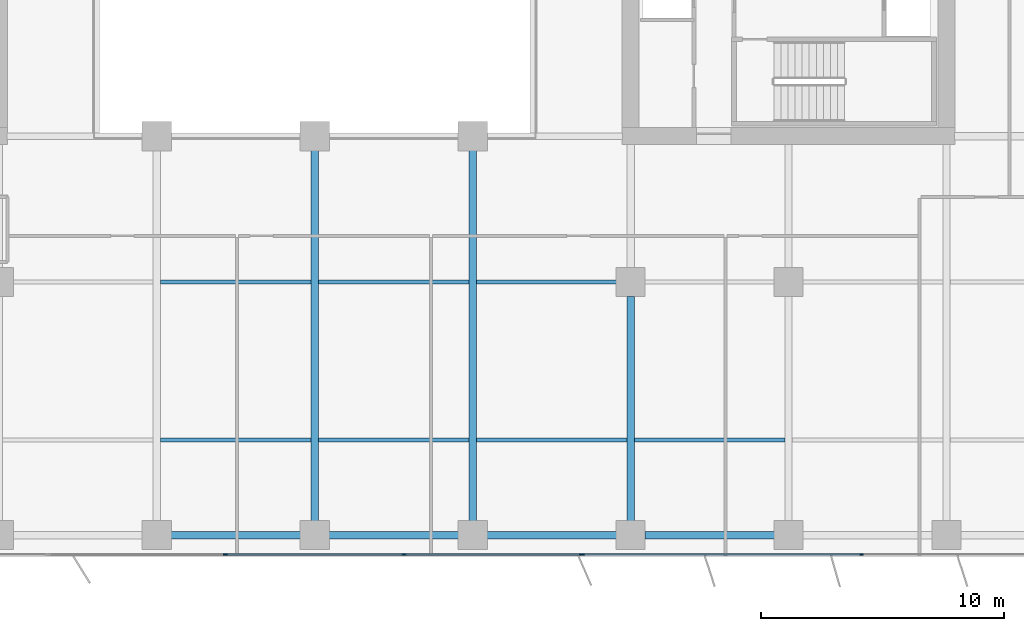
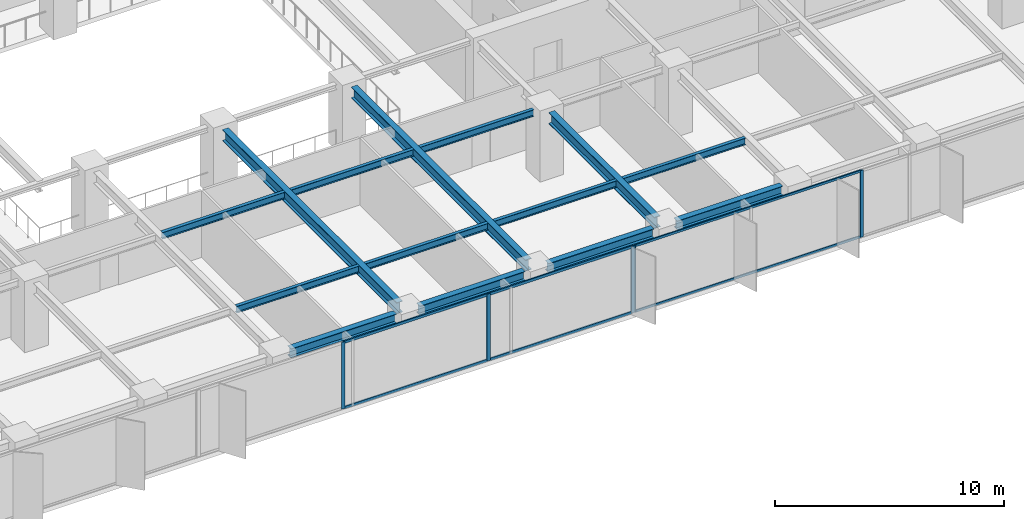
# One storey, part 5 of 20: 14 beams, 11 members, 2 elements without a shape of their own.
"""IFC4 building model written with IfcOpenShell, lengths in metres."""

import ifcopenshell
import ifcopenshell.guid

model = None  # the IFC model being written
_history = None  # IfcOwnerHistory: only IFC2X3 demands one
_inside = {}  # id of a spatial element -> (the spatial element, [elements in it])
_under = {}  # id of a project, library or spatial element -> (it, [spatial elements below it])
_declared = {}  # id of a project -> (the project, [libraries it declares])
_typed = {}  # id of a type object -> (the type object, [elements of that type])
_made_of = {}  # id of a material, layer set ... -> (it, [elements and type objects made of it])


def new_model(schema):
    """Start an empty IFC model of exactly this schema.

    Asked for "IFC4X3", IfcOpenShell would pick the latest addendum, in which some entities
    have other attributes; the version numbers below select the first issue.
    IFC2X3 requires an IfcOwnerHistory on every rooted entity: one is made here for all.
    """
    global model, _history
    if schema == "IFC4X3":
        model = ifcopenshell.file(schema_version=(4, 3, 0, 0))
    else:
        model = ifcopenshell.file(schema=schema)
    _inside.clear()
    _under.clear()
    _declared.clear()
    _typed.clear()
    _made_of.clear()
    _history = None
    if model.schema == "IFC2X3":
        org = make("IfcOrganization", Name="unknown")
        user = make(
            "IfcPersonAndOrganization",
            ThePerson=make("IfcPerson", FamilyName="unknown"),
            TheOrganization=org,
        )
        app = make(
            "IfcApplication",
            ApplicationDeveloper=org,
            Version="unknown",
            ApplicationFullName="unknown",
            ApplicationIdentifier="unknown",
        )
        _history = make(
            "IfcOwnerHistory",
            OwningUser=user,
            OwningApplication=app,
            ChangeAction="ADDED",
            CreationDate=0,
        )
    return model


def make(cls, **values):
    """One entity of the class cls with the attributes given. An attribute that is None is left unset."""
    return model.create_entity(
        cls, **{name: value for name, value in values.items() if value is not None}
    )


def rooted(cls, **values):
    """An entity with a GlobalId (a new one), such as an element, a storey or a relation."""
    return make(cls, GlobalId=ifcopenshell.guid.new(), OwnerHistory=_history, **values)


def si_unit(unit_type, name, prefix=None):
    """IfcSIUnit, for example si_unit("LENGTHUNIT", "METRE", prefix="MILLI")."""
    return make("IfcSIUnit", UnitType=unit_type, Prefix=prefix, Name=name)


def assignment(units):
    """IfcUnitAssignment: the units of a project."""
    return None if units is None else make("IfcUnitAssignment", Units=units)


def point(xyz):
    """IfcCartesianPoint."""
    return None if xyz is None else make("IfcCartesianPoint", Coordinates=xyz)


def direction(xyz):
    """IfcDirection."""
    return None if xyz is None else make("IfcDirection", DirectionRatios=xyz)


def frame(location, z_axis=None, x_axis=None):
    """IfcAxis2Placement3D, a coordinate frame: its origin and axes. An axis left out is left unset."""
    return make(
        "IfcAxis2Placement3D",
        Location=point(location),
        Axis=direction(z_axis),
        RefDirection=direction(x_axis),
    )


def frame_2d(location, x_axis=None):
    """IfcAxis2Placement2D, a coordinate frame in the plane: its origin and x axis."""
    return make(
        "IfcAxis2Placement2D", Location=point(location), RefDirection=direction(x_axis)
    )


def origin():
    """The frame at (0, 0, 0) with its axes left unset."""
    return frame((0.0, 0.0, 0.0))


def origin_2d():
    """The frame at (0, 0) in the plane with its x axis left unset."""
    return frame_2d((0.0, 0.0))


def place(relative_to, where):
    """IfcLocalPlacement: puts the frame where relative to a parent placement (None: the world)."""
    return make(
        "IfcLocalPlacement", PlacementRelTo=relative_to, RelativePlacement=where
    )


def context(
    kind, dimensions, precision=None, world=None, true_north=None, identifier=None
):
    """IfcGeometricRepresentationContext, for example the 3D "Model" context."""
    return make(
        "IfcGeometricRepresentationContext",
        ContextIdentifier=identifier,
        ContextType=kind,
        CoordinateSpaceDimension=dimensions,
        Precision=precision,
        WorldCoordinateSystem=world,
        TrueNorth=true_north,
    )


def subcontext(parent, identifier, kind, view, scale=None):
    """IfcGeometricRepresentationSubContext, for example "Body" below "Model"."""
    return make(
        "IfcGeometricRepresentationSubContext",
        ContextIdentifier=identifier,
        ContextType=kind,
        ParentContext=parent,
        TargetScale=scale,
        TargetView=view,
    )


def project(units=None, contexts=None):
    """IfcProject with its units and contexts."""
    return rooted(
        "IfcProject",
        Name="project",
        RepresentationContexts=contexts,
        UnitsInContext=assignment(units),
    )


def spatial(cls, under=None, at=None, **own):
    """A site, building, storey or space (cls), placed at a placement, below another one or the project."""
    s = rooted(cls, ObjectPlacement=at, **own)
    if under is not None:
        _under.setdefault(under.id(), (under, []))[1].append(s)
    return s


def profile(cls, at=None, kind="AREA", **sizes):
    """A parametric profile (cls). Its sizes go by their IFC names, for example OverallWidth=200.0."""
    return make(cls, ProfileType=kind, Position=at, **sizes)


def rectangle(**sizes):
    """IfcRectangleProfileDef."""
    return profile("IfcRectangleProfileDef", **sizes)


def i_section(**sizes):
    """IfcIShapeProfileDef."""
    return profile("IfcIShapeProfileDef", **sizes)


def extrude(swept, where, along, depth):
    """IfcExtrudedAreaSolid: the profile swept, set in the frame where, extruded along a direction by depth."""
    return make(
        "IfcExtrudedAreaSolid",
        SweptArea=swept,
        Position=where,
        ExtrudedDirection=direction(along),
        Depth=depth,
    )


def shape(context_of_items, identifier, shape_type, items):
    """IfcShapeRepresentation: the items that make up one representation, for example the "Body"."""
    return make(
        "IfcShapeRepresentation",
        ContextOfItems=context_of_items,
        RepresentationIdentifier=identifier,
        RepresentationType=shape_type,
        Items=items,
    )


def material(Name=None, Category=None):
    """IfcMaterial."""
    return make("IfcMaterial", Name=Name, Category=Category)


def layer(
    of_material, thickness, ventilated=None, Name=None, Category=None, Priority=None
):
    """IfcMaterialLayer: one layer of a wall or slab, of a material (None: an air gap)."""
    return make(
        "IfcMaterialLayer",
        Material=of_material,
        LayerThickness=thickness,
        IsVentilated=ventilated,
        Name=Name,
        Category=Category,
        Priority=Priority,
    )


def layer_set(layers, Name=None):
    """IfcMaterialLayerSet."""
    return make("IfcMaterialLayerSet", MaterialLayers=layers, LayerSetName=Name)


def material_profile(
    of_material, cross_section, Name=None, Category=None, Priority=None
):
    """IfcMaterialProfile: a cross section and its material."""
    return make(
        "IfcMaterialProfile",
        Name=Name,
        Material=of_material,
        Profile=cross_section,
        Priority=Priority,
        Category=Category,
    )


def profile_set(profiles, Name=None, composite=None):
    """IfcMaterialProfileSet."""
    return make(
        "IfcMaterialProfileSet",
        Name=Name,
        MaterialProfiles=profiles,
        CompositeProfile=composite,
    )


def made_of(thing, what):
    """Note that an element or type object is made of a material, layer set ...; save() writes the relation."""
    if what is not None:
        _made_of.setdefault(what.id(), (what, []))[1].append(thing)
    return thing


def type_object(cls, material=None, **own):
    """A type object (cls), such as IfcWallType, which elements share."""
    return made_of(rooted(cls, **own), material)


def element(
    cls,
    number,
    at=None,
    inside=None,
    cuts=None,
    type_object=None,
    material=None,
    context=None,
    identifier="Body",
    shape_type=None,
    held_by="IfcProductDefinitionShape",
    body=None,
    shapes=None,
    **own,
):
    """One element of the class cls, such as IfcWall. Its Tag is "e" and its number.

    at: its placement. inside: the storey or other place that contains it. cuts: it is an
    opening in that element (IfcRelVoidsElement). A single representation is given by context,
    identifier, shape_type and body (its items); several are given by shapes. held_by: the class
    of the entity that holds the representations. save() writes the other relations.
    """
    e = rooted(cls, Tag="e%d" % number, ObjectPlacement=at, **own)
    if body is not None:
        shapes = [shape(context, identifier, shape_type, body)]
    if shapes is not None:
        e.Representation = make(held_by, Representations=shapes)
    if inside is not None:
        _inside.setdefault(inside.id(), (inside, []))[1].append(e)
    if cuts is not None:
        rooted(
            "IfcRelVoidsElement", RelatingBuildingElement=cuts, RelatedOpeningElement=e
        )
    if type_object is not None:
        _typed.setdefault(type_object.id(), (type_object, []))[1].append(e)
    return made_of(e, material)


def aggregate(whole, parts):
    """IfcRelAggregates: a whole, such as a stair, and the parts it consists of."""
    return rooted("IfcRelAggregates", RelatingObject=whole, RelatedObjects=parts)


def save(model, path):
    """Write the relations noted so far, then the file.

    IfcRelAggregates (storeys below a building ...), IfcRelContainedInSpatialStructure (elements
    in a storey), IfcRelDefinesByType, IfcRelAssociatesMaterial and IfcRelDeclares: one each for
    every whole, place, type object, material and project.
    """
    for whole, parts in _under.values():
        aggregate(whole, parts)
    for where, things in _inside.values():
        rooted(
            "IfcRelContainedInSpatialStructure",
            RelatedElements=things,
            RelatingStructure=where,
        )
    for kind, things in _typed.values():
        rooted("IfcRelDefinesByType", RelatedObjects=things, RelatingType=kind)
    for what, things in _made_of.values():
        rooted("IfcRelAssociatesMaterial", RelatedObjects=things, RelatingMaterial=what)
    for by, libraries in _declared.values():
        rooted("IfcRelDeclares", RelatingContext=by, RelatedDefinitions=libraries)
    model.write(path)


model = new_model("IFC4")

# Units and contexts
model_context = context("Model", 3, precision=1e-05, world=origin(), true_north=direction((0.0, 1.0)))
body_context = subcontext(model_context, "Body", "Model", "MODEL_VIEW")
ifc_project = project(units=[si_unit("LENGTHUNIT", "METRE"), si_unit("AREAUNIT", "SQUARE_METRE"), si_unit("VOLUMEUNIT", "CUBIC_METRE"), si_unit("PLANEANGLEUNIT", "RADIAN"), si_unit("MASSUNIT", "GRAM", prefix="KILO")], contexts=[model_context])

# Site, building, storey
site_placement = place(None, origin())
site = spatial("IfcSite", under=ifc_project, at=site_placement, CompositionType="ELEMENT")
building_placement = place(site_placement, origin())
building = spatial("IfcBuilding", under=site, at=building_placement, Name="Putna Gate Headquarters", CompositionType="ELEMENT")
storey_placement = place(building_placement, frame((0.0, 0.0, 120.199951171875)))
storey = spatial("IfcBuildingStorey", under=building, at=storey_placement, Name="L29", CompositionType="ELEMENT", Elevation=120.199951171875)

# Beams
ifc_material_1 = material(Name="Steel S355J2", Category="steel")
ifc_material_profile_1 = material_profile(ifc_material_1, i_section(OverallWidth=0.300048828125, OverallDepth=0.60009765625, WebThickness=0.015380859375, FlangeThickness=0.030029296875, at=origin_2d()), Name="Steel S355J2")
ifc_profile_set_1 = profile_set([ifc_material_profile_1], Name="Steel S355J2")
beam_type_1 = type_object("IfcBeamType", Name="BM-GIRD-Z2-HEB600", PredefinedType="USERDEFINED", material=ifc_profile_set_1)
for number, where, z_axis, x_axis, name in (
    (1, (39.0, 3.16796875, 3.26513671875), (0.0, 1.0, 0.0), (-1.0, 0.0, 0.0), "L29 South Primary Girder X39"),
    (2, (45.5, 3.16796875, 3.26513671875), (0.0, 1.0, 0.0), (-1.0, 0.0, 0.0), "L29 South Primary Girder X45"),
):
    element("IfcBeam", number, at=place(storey_placement, frame(where, z_axis=z_axis, x_axis=x_axis)), inside=storey, type_object=beam_type_1, Name=name, ObjectType="GIRDER", PredefinedType="USERDEFINED", context=body_context, shape_type="SweptSolid", body=[
        extrude(i_section(OverallWidth=0.300048828125, OverallDepth=0.60009765625, WebThickness=0.015380859375, FlangeThickness=0.030029296875, at=origin_2d()), origin(), (0.0, 0.0, 1.0), 15.244140625),
    ])
beam_1_placement = place(storey_placement, frame((52.0, 3.16796875, 3.26513671875), z_axis=(0.0, 1.0, 0.0), x_axis=(-1.0, 0.0, 0.0)))
element("IfcBeam", 3, at=beam_1_placement, inside=storey, type_object=beam_type_1, Name="L29 South Primary Girder X52-1", ObjectType="GIRDER", PredefinedType="USERDEFINED", context=body_context, shape_type="SweptSolid", body=[
    extrude(i_section(OverallWidth=0.300048828125, OverallDepth=0.60009765625, WebThickness=0.015380859375, FlangeThickness=0.030029296875, at=origin_2d()), origin(), (0.0, 0.0, 1.0), 9.244140625),
])
ifc_material_profile_2 = material_profile(ifc_material_1, i_section(OverallWidth=0.169921875, OverallDepth=0.360107421875, WebThickness=0.008056640625, FlangeThickness=0.0126953125, at=origin_2d()), Name="Steel S355J2")
ifc_profile_set_2 = profile_set([ifc_material_profile_2], Name="Steel S355J2")
beam_type_2 = type_object("IfcBeamType", Name="BM-SEC-Z2-IPE360", PredefinedType="BEAM", material=ifc_profile_set_2)
for number, where, z_axis, x_axis, name in (
    (4, (32.654052734375, 6.5, 3.385009765625), (1.0, 0.0, 0.0), (0.0, 1.0, 0.0), "L29 South Secondary Beam 5"),
    (5, (32.654052734375, 13.0, 3.385009765625), (1.0, 0.0, 0.0), (0.0, 1.0, 0.0), "L29 South Secondary Beam 5"),
    (6, (39.154052734375, 6.5, 3.385009765625), (1.0, 0.0, 0.0), (0.0, 1.0, 0.0), "L29 South Secondary Beam 6"),
    (7, (39.154052734375, 13.0, 3.385009765625), (1.0, 0.0, 0.0), (0.0, 1.0, 0.0), "L29 South Secondary Beam 6"),
    (8, (45.654052734375, 6.5, 3.385009765625), (1.0, 0.0, 0.0), (0.0, 1.0, 0.0), "L29 South Secondary Beam 7"),
):
    element("IfcBeam", number, at=place(storey_placement, frame(where, z_axis=z_axis, x_axis=x_axis)), inside=storey, type_object=beam_type_2, Name=name, PredefinedType="BEAM", context=body_context, shape_type="SweptSolid", body=[
        extrude(i_section(OverallWidth=0.169921875, OverallDepth=0.360107421875, WebThickness=0.008056640625, FlangeThickness=0.0126953125, at=origin_2d()), origin(), (0.0, 0.0, 1.0), 6.19189453125),
    ])
beam_2_placement = place(storey_placement, frame((45.654052734375, 13.0, 3.385009765625), z_axis=(1.0, 0.0, 0.0), x_axis=(0.0, 1.0, 0.0)))
element("IfcBeam", 9, at=beam_2_placement, inside=storey, type_object=beam_type_2, Name="L29 South Secondary Beam 7", PredefinedType="BEAM", context=body_context, shape_type="SweptSolid", body=[
    extrude(i_section(OverallWidth=0.169921875, OverallDepth=0.360107421875, WebThickness=0.008056640625, FlangeThickness=0.0126953125, at=origin_2d()), origin(), (0.0, 0.0, 1.0), 5.758056640625),
])
beam_3_placement = place(storey_placement, frame((52.154052734375, 6.5, 3.385009765625), z_axis=(1.0, 0.0, 0.0), x_axis=(0.0, 1.0, 0.0)))
element("IfcBeam", 10, at=beam_3_placement, inside=storey, type_object=beam_type_2, Name="L29 South Secondary Beam 8", PredefinedType="BEAM", context=body_context, shape_type="SweptSolid", body=[
    extrude(i_section(OverallWidth=0.169921875, OverallDepth=0.360107421875, WebThickness=0.008056640625, FlangeThickness=0.0126953125, at=origin_2d()), origin(), (0.0, 0.0, 1.0), 6.19189453125),
])
ifc_material_profile_3 = material_profile(ifc_material_1, i_section(OverallWidth=0.300048828125, OverallDepth=0.489990234375, WebThickness=0.011962890625, FlangeThickness=0.02294921875, at=origin_2d()), Name="Steel S355J2")
ifc_profile_set_3 = profile_set([ifc_material_profile_3], Name="Steel S355J2")
beam_type_3 = type_object("IfcBeamType", Name="BM-SPAN-Z2-HEA500", PredefinedType="SPANDREL", material=ifc_profile_set_3)
for number, where, z_axis, x_axis, name in (
    (11, (33.087890625, 2.580078125, 3.320068359375), (1.0, 0.0, 0.0), (0.0, 1.0, 0.0), "L29 S Perimeter Spandrel 5"),
    (12, (39.587890625, 2.580078125, 3.320068359375), (1.0, 0.0, 0.0), (0.0, 1.0, 0.0), "L29 S Perimeter Spandrel 6"),
    (13, (46.087890625, 2.580078125, 3.320068359375), (1.0, 0.0, 0.0), (0.0, 1.0, 0.0), "L29 S Perimeter Spandrel 7"),
    (14, (52.587890625, 2.580078125, 3.320068359375), (1.0, 0.0, 0.0), (0.0, 1.0, 0.0), "L29 S Perimeter Spandrel 8"),
):
    element("IfcBeam", number, at=place(storey_placement, frame(where, z_axis=z_axis, x_axis=x_axis)), inside=storey, type_object=beam_type_3, Name=name, PredefinedType="SPANDREL", context=body_context, shape_type="SweptSolid", body=[
        extrude(i_section(OverallWidth=0.300048828125, OverallDepth=0.489990234375, WebThickness=0.011962890625, FlangeThickness=0.02294921875, at=origin_2d()), origin(), (0.0, 0.0, 1.0), 5.32421875),
    ])

# Curtain wall, members
ifc_material_2 = material(Name="Anodised bronze aluminium curtain wall", Category="aluminium")
ifc_layer_1 = layer(ifc_material_2, 0.159912109375)
ifc_layer_set_1 = layer_set([ifc_layer_1], Name="Anodised bronze aluminium curtain wall")
curtain_wall_type_1 = type_object("IfcCurtainWallType", Name="CW-SYS-Z2", PredefinedType="USERDEFINED", material=ifc_layer_set_1)
curtain_wall_1_placement = place(storey_placement, origin())
curtain_wall_1 = element("IfcCurtainWall", 15, at=curtain_wall_1_placement, inside=storey, type_object=curtain_wall_type_1, Name="L29 South East Curtain Wall", ObjectType="STICK CURTAIN WALL", PredefinedType="USERDEFINED")
ifc_material_3 = material(Name="Anodised bronze aluminium EN AW-6060", Category="aluminium")
ifc_material_profile_4 = material_profile(ifc_material_3, rectangle(XDim=0.06494140625, YDim=0.159912109375, at=origin_2d()), Name="Anodised bronze aluminium EN AW-6060")
ifc_profile_set_4 = profile_set([ifc_material_profile_4], Name="Anodised bronze aluminium EN AW-6060")
member_type_1 = type_object("IfcMemberType", Name="MULL-CWM-2", PredefinedType="MULLION", material=ifc_profile_set_4)
member_1_placement = place(storey_placement, frame((50.032470703125, 1.780029296875, 0.0), z_axis=(0.0, 0.0, 1.0), x_axis=(0.0, 1.0, 0.0)))
member_1 = element("IfcMember", 16, at=member_1_placement, type_object=member_type_1, Name="CWS-2 mullion 1", PredefinedType="MULLION", context=body_context, shape_type="SweptSolid", body=[
    extrude(rectangle(XDim=0.06494140625, YDim=0.159912109375, at=origin_2d()), origin(), (0.0, 0.0, 1.0), 3.56494140625),
])
member_2_placement = place(storey_placement, frame((61.5, 1.780029296875, 0.0), z_axis=(0.0, 0.0, 1.0), x_axis=(0.0, 1.0, 0.0)))
member_2 = element("IfcMember", 17, at=member_2_placement, type_object=member_type_1, Name="CWS-2 mullion 2", PredefinedType="MULLION", context=body_context, shape_type="SweptSolid", body=[
    extrude(rectangle(XDim=0.06494140625, YDim=0.159912109375, at=origin_2d()), origin(), (0.0, 0.0, 1.0), 3.56494140625),
])

ifc_layer_2 = layer(ifc_material_2, 0.179931640625)
ifc_layer_set_2 = layer_set([ifc_layer_2], Name="Anodised bronze aluminium curtain wall")
curtain_wall_type_2 = type_object("IfcCurtainWallType", Name="CW-SYS-ATR", PredefinedType="USERDEFINED", material=ifc_layer_set_2)
curtain_wall_2_placement = place(storey_placement, origin())
curtain_wall_2 = element("IfcCurtainWall", 18, at=curtain_wall_2_placement, inside=storey, type_object=curtain_wall_type_2, Name="L29 South Atrium Clear Glazing", ObjectType="ATRIUM GLAZING", PredefinedType="USERDEFINED")
ifc_material_profile_5 = material_profile(ifc_material_3, rectangle(XDim=0.070068359375, YDim=0.179931640625, at=origin_2d()), Name="Anodised bronze aluminium EN AW-6060")
ifc_profile_set_5 = profile_set([ifc_material_profile_5], Name="Anodised bronze aluminium EN AW-6060")
member_type_2 = type_object("IfcMemberType", Name="MULL-CWM-AT", PredefinedType="MULLION", material=ifc_profile_set_5)
member_3_placement = place(storey_placement, frame((35.333251953125, 1.780029296875, 0.0), z_axis=(0.0, 0.0, 1.0), x_axis=(0.0, 1.0, 0.0)))
member_3 = element("IfcMember", 19, at=member_3_placement, type_object=member_type_2, Name="CWS-AT mullion 2", PredefinedType="MULLION", context=body_context, shape_type="SweptSolid", body=[
    extrude(rectangle(XDim=0.070068359375, YDim=0.179931640625, at=origin_2d()), origin(), (0.0, 0.0, 1.0), 3.56494140625),
])
member_4_placement = place(storey_placement, frame((42.666748046875, 1.780029296875, 0.0), z_axis=(0.0, 0.0, 1.0), x_axis=(0.0, 1.0, 0.0)))
member_4 = element("IfcMember", 20, at=member_4_placement, type_object=member_type_2, Name="CWS-AT mullion 3", PredefinedType="MULLION", context=body_context, shape_type="SweptSolid", body=[
    extrude(rectangle(XDim=0.070068359375, YDim=0.179931640625, at=origin_2d()), origin(), (0.0, 0.0, 1.0), 3.56494140625),
])
member_5_placement = place(storey_placement, frame((49.965087890625, 1.780029296875, 0.0), z_axis=(0.0, 0.0, 1.0), x_axis=(0.0, 1.0, 0.0)))
member_5 = element("IfcMember", 21, at=member_5_placement, type_object=member_type_2, Name="CWS-AT mullion 4", PredefinedType="MULLION", context=body_context, shape_type="SweptSolid", body=[
    extrude(rectangle(XDim=0.070068359375, YDim=0.179931640625, at=origin_2d()), origin(), (0.0, 0.0, 1.0), 3.56494140625),
])

# Member
ifc_material_profile_6 = material_profile(ifc_material_3, rectangle(XDim=0.06494140625, YDim=0.1201171875, at=origin_2d()), Name="Anodised bronze aluminium EN AW-6060")
ifc_profile_set_6 = profile_set([ifc_material_profile_6], Name="Anodised bronze aluminium EN AW-6060")
member_type_3 = type_object("IfcMemberType", Name="TRAN-CWT-2", PredefinedType="USERDEFINED", material=ifc_profile_set_6)
member_6_placement = place(storey_placement, frame((50.06494140625, 1.780029296875, 0.032470703125), z_axis=(1.0, 0.0, 0.0), x_axis=(0.0, 1.0, 0.0)))
member_6 = element("IfcMember", 22, at=member_6_placement, type_object=member_type_3, Name="CWS-2 transom 1.1", ObjectType="TRANSOM", PredefinedType="USERDEFINED", context=body_context, shape_type="SweptSolid", body=[
    extrude(rectangle(XDim=0.06494140625, YDim=0.1201171875, at=origin_2d()), origin(), (0.0, 0.0, 1.0), 11.402587890625),
])

member_7_placement = place(storey_placement, frame((50.06494140625, 1.780029296875, 3.532470703125), z_axis=(1.0, 0.0, 0.0), x_axis=(0.0, 1.0, 0.0)))
member_7 = element("IfcMember", 23, at=member_7_placement, type_object=member_type_3, Name="CWS-2 transom 1.2", ObjectType="TRANSOM", PredefinedType="USERDEFINED", context=body_context, shape_type="SweptSolid", body=[
    extrude(rectangle(XDim=0.06494140625, YDim=0.1201171875, at=origin_2d()), origin(), (0.0, 0.0, 1.0), 11.402587890625),
])

aggregate(curtain_wall_1, [member_1, member_2, member_6, member_7])

ifc_material_profile_7 = material_profile(ifc_material_3, rectangle(XDim=0.070068359375, YDim=0.139892578125, at=origin_2d()), Name="Anodised bronze aluminium EN AW-6060")
ifc_profile_set_7 = profile_set([ifc_material_profile_7], Name="Anodised bronze aluminium EN AW-6060")
member_type_4 = type_object("IfcMemberType", Name="TRAN-CWT-AT", PredefinedType="USERDEFINED", material=ifc_profile_set_7)
member_8_placement = place(storey_placement, frame((35.368408203125, 1.780029296875, 0.03515625), z_axis=(1.0, 0.0, 0.0), x_axis=(0.0, 1.0, 0.0)))
member_8 = element("IfcMember", 24, at=member_8_placement, type_object=member_type_4, Name="CWS-AT transom 2.1", ObjectType="TRANSOM", PredefinedType="USERDEFINED", context=body_context, shape_type="SweptSolid", body=[
    extrude(rectangle(XDim=0.070068359375, YDim=0.139892578125, at=origin_2d()), origin(), (0.0, 0.0, 1.0), 7.26318359375),
])

member_9_placement = place(storey_placement, frame((35.368408203125, 1.780029296875, 3.530029296875), z_axis=(1.0, 0.0, 0.0), x_axis=(0.0, 1.0, 0.0)))
member_9 = element("IfcMember", 25, at=member_9_placement, type_object=member_type_4, Name="CWS-AT transom 2.2", ObjectType="TRANSOM", PredefinedType="USERDEFINED", context=body_context, shape_type="SweptSolid", body=[
    extrude(rectangle(XDim=0.070068359375, YDim=0.139892578125, at=origin_2d()), origin(), (0.0, 0.0, 1.0), 7.26318359375),
])

member_10_placement = place(storey_placement, frame((42.70166015625, 1.780029296875, 0.03515625), z_axis=(1.0, 0.0, 0.0), x_axis=(0.0, 1.0, 0.0)))
member_10 = element("IfcMember", 26, at=member_10_placement, type_object=member_type_4, Name="CWS-AT transom 3.1", ObjectType="TRANSOM", PredefinedType="USERDEFINED", context=body_context, shape_type="SweptSolid", body=[
    extrude(rectangle(XDim=0.070068359375, YDim=0.139892578125, at=origin_2d()), origin(), (0.0, 0.0, 1.0), 7.228271484375),
])

member_11_placement = place(storey_placement, frame((42.70166015625, 1.780029296875, 3.530029296875), z_axis=(1.0, 0.0, 0.0), x_axis=(0.0, 1.0, 0.0)))
member_11 = element("IfcMember", 27, at=member_11_placement, type_object=member_type_4, Name="CWS-AT transom 3.2", ObjectType="TRANSOM", PredefinedType="USERDEFINED", context=body_context, shape_type="SweptSolid", body=[
    extrude(rectangle(XDim=0.070068359375, YDim=0.139892578125, at=origin_2d()), origin(), (0.0, 0.0, 1.0), 7.228271484375),
])

aggregate(curtain_wall_2, [member_3, member_4, member_5, member_8, member_9, member_10, member_11])

save(model, "model.ifc")
